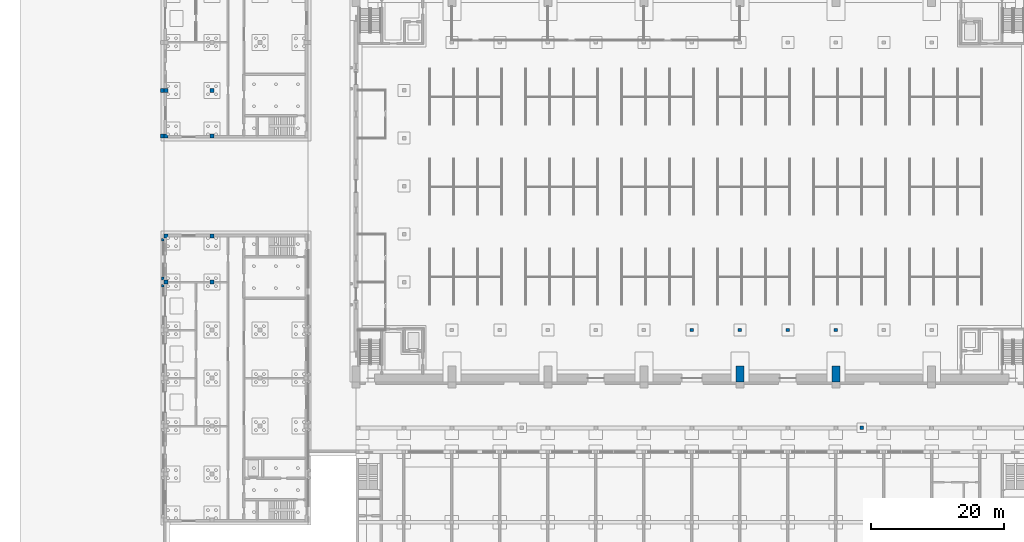
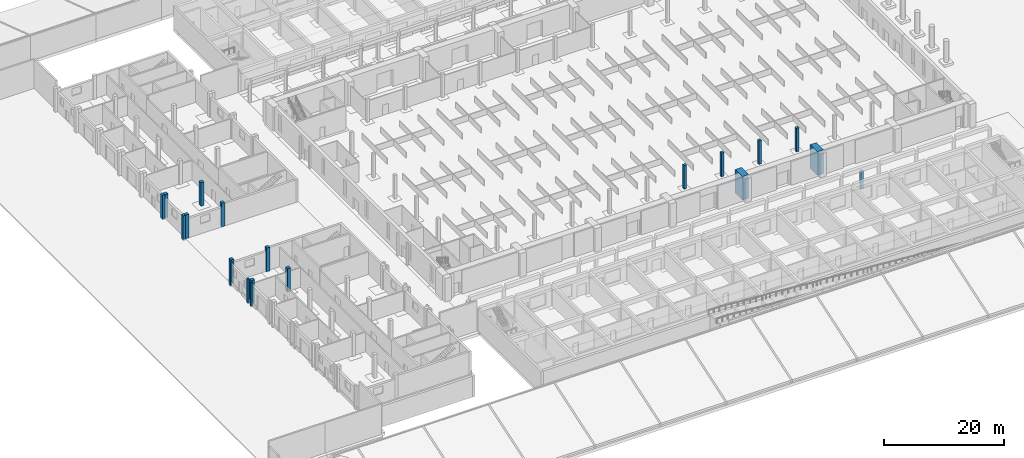
# One storey, part 15 of 73: 20 columns.
"""IFC4 building model written with IfcOpenShell, lengths in metres."""

from ifc_helpers import new_model, si_unit, direction, frame, origin, origin_2d, place, context, subcontext, project, spatial, rectangle, extrude, material, material_profile, profile_set, type_object, element, save


model = new_model("IFC4")

# Units and contexts
model_context = context("Model", 3, precision=1e-05, world=origin(), true_north=direction((0.0, 1.0)))
body_context = subcontext(model_context, "Body", "Model", "MODEL_VIEW")
ifc_project = project(units=[si_unit("LENGTHUNIT", "METRE"), si_unit("AREAUNIT", "SQUARE_METRE"), si_unit("VOLUMEUNIT", "CUBIC_METRE"), si_unit("PLANEANGLEUNIT", "RADIAN"), si_unit("MASSUNIT", "GRAM", prefix="KILO")], contexts=[model_context])

# Site, building, storey
site_placement = place(None, origin())
site = spatial("IfcSite", under=ifc_project, at=site_placement, CompositionType="ELEMENT")
building_placement = place(site_placement, origin())
building = spatial("IfcBuilding", under=site, at=building_placement, Name="Alderwick Market Hall", CompositionType="ELEMENT")
storey_placement = place(building_placement, origin())
storey = spatial("IfcBuildingStorey", under=building, at=storey_placement, Name="LG", CompositionType="ELEMENT", Elevation=0.0)

# Columns
ifc_material_1 = material(Name="Concrete 5000 psi (f'c 35 MPa)", Category="concrete")
ifc_material_profile_1 = material_profile(ifc_material_1, rectangle(XDim=0.35009765625, YDim=0.39990234375, at=origin_2d()), Name="B Paired Pilaster 350x400")
ifc_profile_set_1 = profile_set([ifc_material_profile_1], Name="Concrete 5000 psi (f'c 35 MPa)")
column_type_1 = type_object("IfcColumnType", Name="B Paired Pilaster 350x400", PredefinedType="COLUMN", material=ifc_profile_set_1)
for number, where, z_axis, x_axis, name in (
    (1, (21.425048828125, 64.25, -0.25), (0.0, 0.0, 1.0), (1.0, 0.0, 0.0), "Pilaster W10"),
    (2, (21.425048828125, 65.35009765625, -0.25), (0.0, 0.0, 1.0), (1.0, 0.0, 0.0), "Pilaster W11"),
    (3, (21.425048828125, 71.14990234375, -0.25), (0.0, 0.0, 1.0), (1.0, 0.0, 0.0), "Pilaster W12"),
):
    element("IfcColumn", number, at=place(storey_placement, frame(where, z_axis=z_axis, x_axis=x_axis)), inside=storey, type_object=column_type_1, Name=name, PredefinedType="COLUMN", context=body_context, shape_type="SweptSolid", body=[
        extrude(rectangle(XDim=0.35009765625, YDim=0.39990234375, at=origin_2d()), origin(), (0.0, 0.0, 1.0), 5.050048828125),
    ])
ifc_material_profile_2 = material_profile(ifc_material_1, rectangle(XDim=0.5, YDim=0.60009765625, at=origin_2d()), Name="B Pilaster 500x600")
ifc_profile_set_2 = profile_set([ifc_material_profile_2], Name="Concrete 5000 psi (f'c 35 MPa)")
column_type_2 = type_object("IfcColumnType", Name="B Pilaster 500x600", PredefinedType="COLUMN", material=ifc_profile_set_2)
for number, where, z_axis, x_axis, name in (
    (4, (21.35009765625, 86.699951171875, -0.25), (0.0, 0.0, 1.0), (1.0, 0.0, 0.0), "Pilaster W01"),
    (5, (21.35009765625, 93.60009765625, -0.25), (0.0, 0.0, 1.0), (1.0, 0.0, 0.0), "Pilaster W02"),
):
    element("IfcColumn", number, at=place(storey_placement, frame(where, z_axis=z_axis, x_axis=x_axis)), inside=storey, type_object=column_type_2, Name=name, PredefinedType="COLUMN", context=body_context, shape_type="SweptSolid", body=[
        extrude(rectangle(XDim=0.5, YDim=0.60009765625, at=origin_2d()), origin(), (0.0, 0.0, 1.0), 5.050048828125),
    ])
ifc_material_2 = material(Name="Precast concrete 6000 psi (f'c 42 MPa)", Category="concrete")
ifc_material_profile_3 = material_profile(ifc_material_2, rectangle(XDim=0.60009765625, YDim=0.60009765625, at=origin_2d()), Name="B Precast Pier 600x600")
ifc_profile_set_3 = profile_set([ifc_material_profile_3], Name="Precast concrete 6000 psi (f'c 42 MPa)")
column_type_3 = type_object("IfcColumnType", Name="B Precast Pier 600x600", PredefinedType="COLUMN", material=ifc_profile_set_3)
for number, where, z_axis, x_axis, name in (
    (6, (21.89990234375, 93.60009765625, 0.0), (0.0, 0.0, 1.0), (1.0, 0.0, 0.0), "B.N.col.LG.003-360"),
    (7, (21.89990234375, 86.699951171875, 0.0), (0.0, 0.0, 1.0), (1.0, 0.0, 0.0), "B.N.col.LG.003-429"),
    (8, (28.800048828125, 86.699951171875, 0.0), (0.0, 0.0, 1.0), (1.0, 0.0, 0.0), "B.N.col.LG.072-429"),
    (9, (21.89990234375, 64.800048828125, 0.0), (0.0, 0.0, 1.0), (1.0, 0.0, 0.0), "B.S.col.LG.003-360"),
    (10, (21.89990234375, 71.699951171875, 0.0), (0.0, 0.0, 1.0), (1.0, 0.0, 0.0), "B.S.col.LG.003-429"),
    (11, (28.800048828125, 71.699951171875, 0.0), (0.0, 0.0, 1.0), (1.0, 0.0, 0.0), "B.S.col.LG.072-429"),
):
    element("IfcColumn", number, at=place(storey_placement, frame(where, z_axis=z_axis, x_axis=x_axis)), inside=storey, type_object=column_type_3, Name=name, PredefinedType="COLUMN", context=body_context, shape_type="SweptSolid", body=[
        extrude(rectangle(XDim=0.60009765625, YDim=0.60009765625, at=origin_2d()), origin(), (0.0, 0.0, 1.0), 4.800048828125),
    ])
ifc_material_profile_4 = material_profile(ifc_material_1, rectangle(XDim=0.60009765625, YDim=0.60009765625, at=origin_2d()), Name="B RC Column 600x600")
ifc_profile_set_4 = profile_set([ifc_material_profile_4], Name="Concrete 5000 psi (f'c 35 MPa)")
column_type_4 = type_object("IfcColumnType", Name="B RC Column 600x600", PredefinedType="COLUMN", material=ifc_profile_set_4)
for number, where, z_axis, x_axis, name in (
    (12, (28.800048828125, 93.60009765625, 0.0), (0.0, 0.0, 1.0), (1.0, 0.0, 0.0), "B.N.col.LG.072-360"),
    (13, (28.800048828125, 64.800048828125, 0.0), (0.0, 0.0, 1.0), (1.0, 0.0, 0.0), "B.S.col.LG.072-360"),
):
    element("IfcColumn", number, at=place(storey_placement, frame(where, z_axis=z_axis, x_axis=x_axis)), inside=storey, type_object=column_type_4, Name=name, PredefinedType="COLUMN", context=body_context, shape_type="SweptSolid", body=[
        extrude(rectangle(XDim=0.60009765625, YDim=0.60009765625, at=origin_2d()), origin(), (0.0, 0.0, 1.0), 4.800048828125),
    ])
ifc_material_profile_5 = material_profile(ifc_material_1, rectangle(XDim=0.5, YDim=0.5, at=origin_2d()), Name="RC 500x500")
ifc_profile_set_5 = profile_set([ifc_material_profile_5], Name="Concrete 5000 psi (f'c 35 MPa)")
column_type_5 = type_object("IfcColumnType", Name="H Column 500x500", PredefinedType="COLUMN", material=ifc_profile_set_5)
for number, where, z_axis, x_axis, name in (
    (14, (100.800048828125, 57.639892578125, 0.0), (0.0, 0.0, 1.0), (1.0, 0.0, 0.0), "Gallery column S11"),
    (15, (108.0, 57.639892578125, 0.0), (0.0, 0.0, 1.0), (1.0, 0.0, 0.0), "Gallery column S13"),
    (16, (115.199951171875, 57.639892578125, 0.0), (0.0, 0.0, 1.0), (1.0, 0.0, 0.0), "Gallery column S15"),
    (17, (122.39990234375, 57.639892578125, 0.0), (0.0, 0.0, 1.0), (1.0, 0.0, 0.0), "Gallery column S17"),
):
    element("IfcColumn", number, at=place(storey_placement, frame(where, z_axis=z_axis, x_axis=x_axis)), inside=storey, type_object=column_type_5, Name=name, PredefinedType="COLUMN", context=body_context, shape_type="SweptSolid", body=[
        extrude(rectangle(XDim=0.5, YDim=0.5, at=origin_2d()), origin(), (0.0, 0.0, 1.0), 4.800048828125),
    ])
ifc_material_profile_6 = material_profile(ifc_material_1, rectangle(XDim=0.5, YDim=0.5, at=origin_2d()), Name="P RC Corbel Pier 500x500")
ifc_profile_set_6 = profile_set([ifc_material_profile_6], Name="Concrete 5000 psi (f'c 35 MPa)")
column_type_6 = type_object("IfcColumnType", Name="P RC Corbel Pier 500x500", PredefinedType="COLUMN", material=ifc_profile_set_6)
column_placement = place(storey_placement, frame((126.300048828125, 42.949951171875, 0.0), z_axis=(0.0, 0.0, 1.0), x_axis=(1.0, 0.0, 0.0)))
element("IfcColumn", 18, at=column_placement, inside=storey, type_object=column_type_6, Name="Corbel pier", PredefinedType="COLUMN", context=body_context, shape_type="SweptSolid", body=[
    extrude(rectangle(XDim=0.5, YDim=0.5, at=origin_2d()), origin(), (0.0, 0.0, 1.0), 3.632080078125),
])
ifc_material_profile_7 = material_profile(ifc_material_1, rectangle(XDim=1.199951171875, YDim=2.39990234375, at=origin_2d()), Name="RC 1200x2400")
ifc_profile_set_7 = profile_set([ifc_material_profile_7], Name="Concrete 5000 psi (f'c 35 MPa)")
column_type_7 = type_object("IfcColumnType", Name="R Buttress Pier 1200x2400", PredefinedType="COLUMN", material=ifc_profile_set_7)
for number, where, z_axis, x_axis, name in (
    (19, (108.0, 51.0, 0.0), (0.0, 0.0, 1.0), (1.0, 0.0, 0.0), "Buttress pier S5 LG"),
    (20, (122.39990234375, 51.0, 0.0), (0.0, 0.0, 1.0), (1.0, 0.0, 0.0), "Buttress pier S6 LG"),
):
    element("IfcColumn", number, at=place(storey_placement, frame(where, z_axis=z_axis, x_axis=x_axis)), inside=storey, type_object=column_type_7, Name=name, PredefinedType="COLUMN", context=body_context, shape_type="SweptSolid", body=[
        extrude(rectangle(XDim=1.199951171875, YDim=2.39990234375, at=origin_2d()), origin(), (0.0, 0.0, 1.0), 4.800048828125),
    ])

save(model, "model.ifc")
